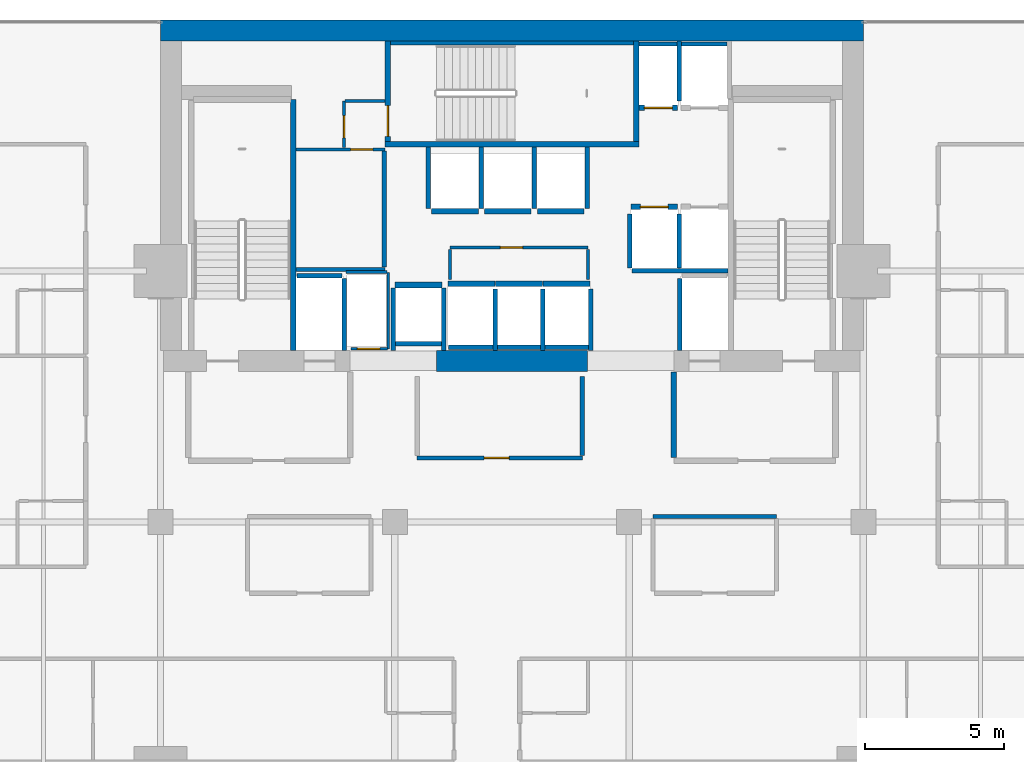
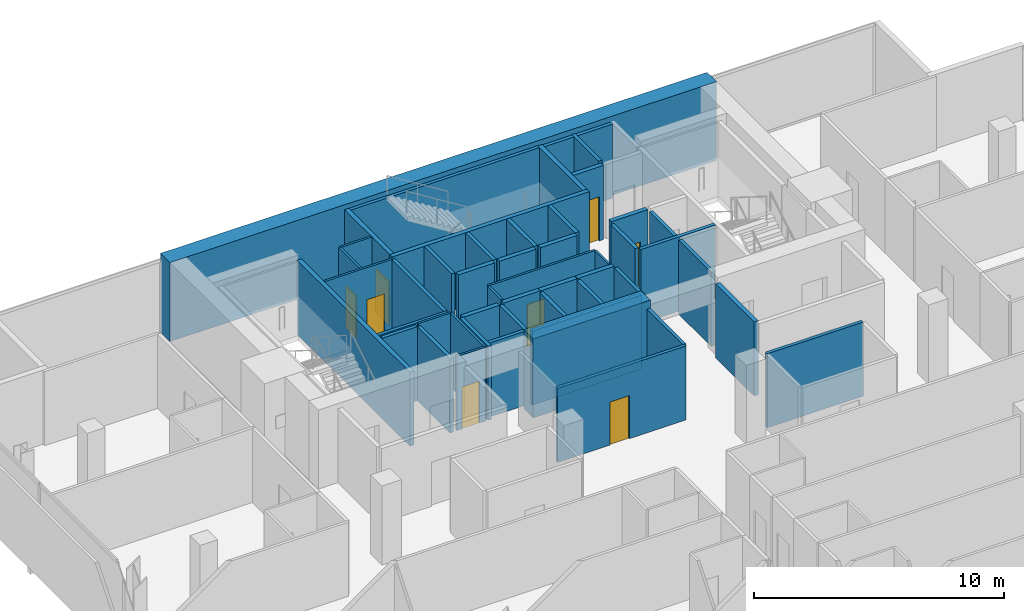
# One storey, part 30 of 34: 50 walls, 8 doors, 8 openings.
"""IFC4 building model written with IfcOpenShell, lengths in metres."""

from ifc_helpers import new_model, si_unit, direction, frame, frame_2d, origin, place, context, subcontext, project, spatial, rectangle, extrude, material, layer, layer_set, type_object, element, fill, save


model = new_model("IFC4")

# Units and contexts
model_context = context("Model", 3, precision=1e-05, world=origin(), true_north=direction((0.0, 1.0)))
body_context = subcontext(model_context, "Body", "Model", "MODEL_VIEW")
ifc_project = project(units=[si_unit("LENGTHUNIT", "METRE"), si_unit("AREAUNIT", "SQUARE_METRE"), si_unit("VOLUMEUNIT", "CUBIC_METRE"), si_unit("PLANEANGLEUNIT", "RADIAN"), si_unit("MASSUNIT", "GRAM", prefix="KILO")], contexts=[model_context])

# Site, building, storey
site_placement = place(None, origin())
site = spatial("IfcSite", under=ifc_project, at=site_placement, CompositionType="ELEMENT")
building_placement = place(site_placement, origin())
building = spatial("IfcBuilding", under=site, at=building_placement, Name="Maruvema Waterfront Hotel and Observation Tower", CompositionType="ELEMENT")
storey_placement = place(building_placement, frame((0.0, 0.0, 185.14990234375)))
storey = spatial("IfcBuildingStorey", under=building, at=storey_placement, Name="L45", CompositionType="ELEMENT", Elevation=185.14990234375)

# Walls
ifc_material_1 = material(Name="Twin-stud acoustic gypsum drywall", Category="gypsum")
ifc_layer_1 = layer(ifc_material_1, 0.14990234375, Name="Acoustic Corridor and Suite Demising Wall 150 mm")
ifc_layer_set_1 = layer_set([ifc_layer_1], Name="Twin-stud acoustic gypsum drywall")
wall_type_1 = type_object("IfcWallType", Name="Acoustic Corridor and Suite Demising Wall 150 mm", PredefinedType="PARTITIONING", material=ifc_layer_set_1)
wall_1_placement = place(storey_placement, frame((30.06005859375, 45.06005859375, 0.0), z_axis=(0.0, 0.0, 1.0), x_axis=(1.0, 0.0, 0.0)))
element("IfcWall", 1, at=wall_1_placement, inside=storey, type_object=wall_type_1, Name="L45 Freed B1 South Wall 013", PredefinedType="PARTITIONING", context=body_context, shape_type="SweptSolid", body=[
    extrude(rectangle(XDim=3.179931640625, YDim=0.14990234375, at=frame_2d((1.58984375, 0.0))), origin(), (0.0, 0.0, 1.0), 3.610107421875),
])
wall_2_placement = place(storey_placement, frame((33.219970703125, 45.139892578125, 0.0), z_axis=(0.0, 0.0, 1.0), x_axis=(0.0, 1.0, 0.0)))
element("IfcWall", 2, at=wall_2_placement, inside=storey, type_object=wall_type_1, Name="L45 Freed B1 East Wall 014", PredefinedType="PARTITIONING", context=body_context, shape_type="SweptSolid", body=[
    extrude(rectangle(XDim=4.16015625, YDim=0.14990234375, at=frame_2d((2.080078125, 0.0))), origin(), (0.0, 0.0, 1.0), 3.610107421875),
])

# Wall, opening, door
wall_3_placement = place(storey_placement, frame((34.39990234375, 38.300048828125, 0.0), z_axis=(0.0, 0.0, 1.0), x_axis=(1.0, 0.0, 0.0)))
wall_3 = element("IfcWall", 3, at=wall_3_placement, inside=storey, type_object=wall_type_1, Name="L45 Core Apron K0 South 018", PredefinedType="PARTITIONING", context=body_context, shape_type="SweptSolid", body=[
    extrude(rectangle(XDim=5.920166015625, YDim=0.14990234375, at=frame_2d((2.9599609375, 0.0))), origin(), (0.0, 0.0, 1.0), 3.610107421875),
])
opening_1_placement = place(wall_3_placement, frame((2.39990234375, 0.0, 0.0)))
opening_1 = element("IfcOpeningElement", 4, at=opening_1_placement, cuts=wall_3, Name="Opening DR-090", PredefinedType="OPENING", context=body_context, shape_type="SweptSolid", body=[
    extrude(rectangle(XDim=0.89990234375, YDim=2.10009765625, at=frame_2d((0.449951171875, 1.050048828125))), frame((0.0, 0.0849609375, 0.0), z_axis=(0.0, -1.0, 0.0), x_axis=(1.0, 0.0, 0.0)), (0.0, 0.0, 1.0), 0.169921875),
])
ifc_material_2 = material(Name="Solid-core lacquered timber leaf", Category="wood")
door_type_1 = type_object("IfcDoorType", Name="Accessible Toilet and Room Door 900x2100 mm", OperationType="NOTDEFINED", PredefinedType="DOOR", material=ifc_material_2)
door_1_placement = place(opening_1_placement, frame((0.89990234375, 0.0, 0.0), z_axis=(0.0, 0.0, 1.0), x_axis=(-1.0, 0.0, 0.0)))
door_1 = element("IfcDoor", 5, at=door_1_placement, inside=storey, type_object=door_type_1, Name="L45 Core Valet Room Door", OperationType="SINGLE_SWING_RIGHT", OverallHeight=2.10009765625, OverallWidth=0.89990234375, PredefinedType="DOOR", context=body_context, shape_type="SweptSolid", body=[
    extrude(rectangle(XDim=0.89990234375, YDim=2.10009765625, at=frame_2d((0.449951171875, 1.050048828125))), frame((0.0, 0.02490234375, 0.0), z_axis=(0.0, -1.0, 0.0), x_axis=(1.0, 0.0, 0.0)), (0.0, 0.0, 1.0), 0.050048828125),
])
fill(opening_1, door_1)

# Walls
wall_4_placement = place(storey_placement, frame((40.320068359375, 38.3798828125, 0.0), z_axis=(0.0, 0.0, 1.0), x_axis=(0.0, 1.0, 0.0)))
element("IfcWall", 6, at=wall_4_placement, inside=storey, type_object=wall_type_1, Name="L45 Core Apron K0 East 020", PredefinedType="PARTITIONING", context=body_context, shape_type="SweptSolid", body=[
    extrude(rectangle(XDim=2.840087890625, YDim=0.14990234375, at=frame_2d((1.419921875, 0.0))), origin(), (0.0, 0.0, 1.0), 3.610107421875),
])
wall_5_placement = place(storey_placement, frame((42.85009765625, 36.199951171875, 0.0), z_axis=(0.0, 0.0, 1.0), x_axis=(1.0, 0.0, 0.0)))
element("IfcWall", 7, at=wall_5_placement, inside=storey, type_object=wall_type_1, Name="L45 L45-M2 Back Wall 025", PredefinedType="PARTITIONING", context=body_context, shape_type="SweptSolid", body=[
    extrude(rectangle(XDim=4.429931640625, YDim=0.14990234375, at=frame_2d((2.21484375, 0.0))), origin(), (0.0, 0.0, 1.0), 3.610107421875),
])
ifc_material_3 = material(Name="Precast concrete C45/55", Category="concrete")
ifc_layer_2 = layer(ifc_material_3, 0.14990234375, Name="Core Shaft Furring Wall 150 mm")
ifc_layer_set_2 = layer_set([ifc_layer_2], Name="Precast concrete C45/55")
wall_type_2 = type_object("IfcWallType", Name="Core Shaft Furring Wall 150 mm", PredefinedType="SOLIDWALL", material=ifc_layer_set_2)
wall_6_placement = place(storey_placement, frame((33.449951171875, 53.175048828125, 0.0), z_axis=(0.0, 0.0, 1.0), x_axis=(1.0, 0.0, 0.0)))
element("IfcWall", 8, at=wall_6_placement, inside=storey, type_object=wall_type_2, Name="L45 Stairwell ST-02 North Furring Wall", PredefinedType="SOLIDWALL", context=body_context, shape_type="SweptSolid", body=[
    extrude(rectangle(XDim=8.699951171875, YDim=0.14990234375, at=frame_2d((4.35009765625, 0.0))), origin(), (0.0, 0.0, 1.0), 3.610107421875),
])
ifc_material_4 = material(Name="Precast concrete C45/55", Category="concrete")
ifc_layer_3 = layer(ifc_material_4, 0.199951171875, Name="Core Shaft and Stairwell Enclosure Wall 200 mm")
ifc_layer_set_3 = layer_set([ifc_layer_3], Name="Precast concrete C45/55")
wall_type_3 = type_object("IfcWallType", Name="Core Shaft and Stairwell Enclosure Wall 200 mm", PredefinedType="SOLIDWALL", material=ifc_layer_set_3)
wall_7_placement = place(storey_placement, frame((29.949951171875, 42.14990234375, 0.0), z_axis=(0.0, 0.0, 1.0), x_axis=(0.0, 1.0, 0.0)))
element("IfcWall", 9, at=wall_7_placement, inside=storey, type_object=wall_type_3, Name="L45 Stairwell ST-01 East Shaft Wall", PredefinedType="SOLIDWALL", context=body_context, shape_type="SweptSolid", body=[
    extrude(rectangle(XDim=9.0, YDim=0.199951171875, at=frame_2d((4.5, 0.0))), origin(), (0.0, 0.0, 1.0), 3.610107421875),
])
wall_8_placement = place(storey_placement, frame((33.25, 49.550048828125, 0.0), z_axis=(0.0, 0.0, 1.0), x_axis=(1.0, 0.0, 0.0)))
element("IfcWall", 10, at=wall_8_placement, inside=storey, type_object=wall_type_3, Name="L45 Stairwell ST-02 Shaft Wall", PredefinedType="SOLIDWALL", context=body_context, shape_type="SweptSolid", body=[
    extrude(rectangle(XDim=9.10009765625, YDim=0.199951171875, at=frame_2d((4.550048828125, 0.0))), origin(), (0.0, 0.0, 1.0), 3.610107421875),
])
wall_9_placement = place(storey_placement, frame((42.25, 49.64990234375, 0.0), z_axis=(0.0, 0.0, 1.0), x_axis=(0.0, 1.0, 0.0)))
element("IfcWall", 11, at=wall_9_placement, inside=storey, type_object=wall_type_3, Name="L45 Stairwell ST-02 Shaft Wall", PredefinedType="SOLIDWALL", context=body_context, shape_type="SweptSolid", body=[
    extrude(rectangle(XDim=3.60009765625, YDim=0.199951171875, at=frame_2d((1.800048828125, 0.0))), origin(), (0.0, 0.0, 1.0), 3.610107421875),
])

# Wall, opening, door
wall_10_placement = place(storey_placement, frame((33.35009765625, 49.64990234375, 0.0), z_axis=(0.0, 0.0, 1.0), x_axis=(0.0, 1.0, 0.0)))
wall_10 = element("IfcWall", 12, at=wall_10_placement, inside=storey, type_object=wall_type_3, Name="L45 Stairwell ST-02 Shaft Wall", PredefinedType="SOLIDWALL", context=body_context, shape_type="SweptSolid", body=[
    extrude(rectangle(XDim=3.60009765625, YDim=0.199951171875, at=frame_2d((1.800048828125, 0.0))), origin(), (0.0, 0.0, 1.0), 3.610107421875),
])
opening_2_placement = place(wall_10_placement, frame((0.179931640625, 0.0, 0.0)))
opening_2 = element("IfcOpeningElement", 13, at=opening_2_placement, cuts=wall_10, Name="Opening SD-02", PredefinedType="OPENING", context=body_context, shape_type="SweptSolid", body=[
    extrude(rectangle(XDim=1.10009765625, YDim=2.14990234375, at=frame_2d((0.550048828125, 1.074951171875))), frame((0.0, 0.10986328125, 0.0), z_axis=(0.0, -1.0, 0.0), x_axis=(1.0, 0.0, 0.0)), (0.0, 0.0, 1.0), 0.219970703125),
])
ifc_material_5 = material(Name="Fire-rated galvanised steel leaf", Category="steel")
door_type_2 = type_object("IfcDoorType", Name="Central Exit Stair Fire Door 1100x2150 mm", OperationType="NOTDEFINED", PredefinedType="DOOR", material=ifc_material_5)
door_2_placement = place(opening_2_placement, frame((1.10009765625, 0.0, 0.0), z_axis=(0.0, 0.0, 1.0), x_axis=(-1.0, 0.0, 0.0)))
door_2 = element("IfcDoor", 14, at=door_2_placement, inside=storey, type_object=door_type_2, Name="L45 Exit Stair ST-02 Fire Door", OperationType="SINGLE_SWING_LEFT", OverallHeight=2.14990234375, OverallWidth=1.10009765625, PredefinedType="DOOR", context=body_context, shape_type="SweptSolid", body=[
    extrude(rectangle(XDim=1.10009765625, YDim=2.14990234375, at=frame_2d((0.550048828125, 1.074951171875))), frame((0.0, 0.02490234375, 0.0), z_axis=(0.0, -1.0, 0.0), x_axis=(1.0, 0.0, 0.0)), (0.0, 0.0, 1.0), 0.050048828125),
])
fill(opening_2, door_2)

wall_11_placement = place(storey_placement, frame((42.06005859375, 47.300048828125, 0.0), z_axis=(0.0, 0.0, 1.0), x_axis=(1.0, 0.0, 0.0)))
wall_11 = element("IfcWall", 15, at=wall_11_placement, inside=storey, type_object=wall_type_3, Name="L45 Lift LF-05 Hoistway Front Wall", PredefinedType="SOLIDWALL", context=body_context, shape_type="SweptSolid", body=[
    extrude(rectangle(XDim=1.679931640625, YDim=0.199951171875, at=frame_2d((0.83984375, 0.0))), origin(), (0.0, 0.0, 1.0), 3.610107421875),
])
opening_3_placement = place(wall_11_placement, frame((0.340087890625, 0.0, 0.0)))
opening_3 = element("IfcOpeningElement", 16, at=opening_3_placement, cuts=wall_11, Name="Opening LD-01", PredefinedType="OPENING", context=body_context, shape_type="SweptSolid", body=[
    extrude(rectangle(XDim=1.0, YDim=2.14990234375, at=frame_2d((0.5, 1.074951171875))), frame((0.0, 0.10986328125, 0.0), z_axis=(0.0, -1.0, 0.0), x_axis=(1.0, 0.0, 0.0)), (0.0, 0.0, 1.0), 0.219970703125),
])
ifc_material_6 = material(Name="Brushed stainless steel Grade 316", Category="steel")
door_type_3 = type_object("IfcDoorType", Name="Passenger Lift Sliding Landing Door 1000x2150 mm", OperationType="SLIDING_TO_LEFT", PredefinedType="DOOR", material=ifc_material_6)
door_3_placement = place(opening_3_placement, origin())
door_3 = element("IfcDoor", 17, at=door_3_placement, inside=storey, type_object=door_type_3, Name="L45 Lift LF-05 Sliding Landing Door", OperationType="SLIDING_TO_LEFT", OverallHeight=2.14990234375, OverallWidth=1.0, PredefinedType="DOOR", context=body_context, shape_type="SweptSolid", body=[
    extrude(rectangle(XDim=1.0, YDim=2.14990234375, at=frame_2d((0.5, 1.074951171875))), frame((0.0, 0.02490234375, 0.0), z_axis=(0.0, -1.0, 0.0), x_axis=(1.0, 0.0, 0.0)), (0.0, 0.0, 1.0), 0.050048828125),
])
fill(opening_3, door_3)

wall_12_placement = place(storey_placement, frame((42.360107421875, 50.85009765625, 0.0), z_axis=(0.0, 0.0, 1.0), x_axis=(1.0, 0.0, 0.0)))
wall_12 = element("IfcWall", 18, at=wall_12_placement, inside=storey, type_object=wall_type_3, Name="L45 Lift LF-07 Hoistway Front Wall", PredefinedType="SOLIDWALL", context=body_context, shape_type="SweptSolid", body=[
    extrude(rectangle(XDim=1.3798828125, YDim=0.199951171875, at=frame_2d((0.68994140625, 0.0))), origin(), (0.0, 0.0, 1.0), 3.610107421875),
])
opening_4_placement = place(wall_12_placement, frame((0.18994140625, 0.0, 0.0)))
opening_4 = element("IfcOpeningElement", 19, at=opening_4_placement, cuts=wall_12, Name="Opening LD-01", PredefinedType="OPENING", context=body_context, shape_type="SweptSolid", body=[
    extrude(rectangle(XDim=1.0, YDim=2.14990234375, at=frame_2d((0.5, 1.074951171875))), frame((0.0, 0.10986328125, 0.0), z_axis=(0.0, -1.0, 0.0), x_axis=(1.0, 0.0, 0.0)), (0.0, 0.0, 1.0), 0.219970703125),
])
door_4_placement = place(opening_4_placement, frame((1.0, 0.0, 0.0), z_axis=(0.0, 0.0, 1.0), x_axis=(-1.0, 0.0, 0.0)))
door_4 = element("IfcDoor", 20, at=door_4_placement, inside=storey, type_object=door_type_3, Name="L45 Lift LF-07 Sliding Landing Door", OperationType="SLIDING_TO_LEFT", OverallHeight=2.14990234375, OverallWidth=1.0, PredefinedType="DOOR", context=body_context, shape_type="SweptSolid", body=[
    extrude(rectangle(XDim=1.0, YDim=2.14990234375, at=frame_2d((0.5, 1.074951171875))), frame((0.0, 0.02490234375, 0.0), z_axis=(0.0, -1.0, 0.0), x_axis=(1.0, 0.0, 0.0)), (0.0, 0.0, 1.0), 0.050048828125),
])
fill(opening_4, door_4)

# Walls
for number, where, z_axis, x_axis, name in (
    (21, (35.510009765625, 44.550048828125, 0.0), (0.0, 0.0, 1.0), (1.0, 0.0, 0.0), "L45 Lift LF-09 Hoistway Front Wall"),
    (22, (37.2099609375, 44.550048828125, 0.0), (0.0, 0.0, 1.0), (1.0, 0.0, 0.0), "L45 Lift LF-10 Hoistway Front Wall"),
):
    element("IfcWall", number, at=place(storey_placement, frame(where, z_axis=z_axis, x_axis=x_axis)), inside=storey, type_object=wall_type_3, Name=name, PredefinedType="SOLIDWALL", context=body_context, shape_type="SweptSolid", body=[
        extrude(rectangle(XDim=1.679931640625, YDim=0.199951171875, at=frame_2d((0.83984375, 0.0))), origin(), (0.0, 0.0, 1.0), 3.610107421875),
    ])
for number, where, z_axis, x_axis, name in (
    (23, (38.909912109375, 44.550048828125, 0.0), (0.0, 0.0, 1.0), (1.0, 0.0, 0.0), "L45 Lift LF-11 Hoistway Front Wall"),
    (24, (34.909912109375, 47.14990234375, 0.0), (0.0, 0.0, 1.0), (1.0, 0.0, 0.0), "L45 Lift LF-12 Hoistway Front Wall"),
):
    element("IfcWall", number, at=place(storey_placement, frame(where, z_axis=z_axis, x_axis=x_axis)), inside=storey, type_object=wall_type_3, Name=name, PredefinedType="SOLIDWALL", context=body_context, shape_type="SweptSolid", body=[
        extrude(rectangle(XDim=1.68017578125, YDim=0.199951171875, at=frame_2d((0.840087890625, 0.0))), origin(), (0.0, 0.0, 1.0), 3.610107421875),
    ])
for number, where, z_axis, x_axis, name in (
    (25, (36.81005859375, 47.14990234375, 0.0), (0.0, 0.0, 1.0), (1.0, 0.0, 0.0), "L45 Lift LF-13 Hoistway Front Wall"),
    (26, (38.7099609375, 47.14990234375, 0.0), (0.0, 0.0, 1.0), (1.0, 0.0, 0.0), "L45 Lift LF-14 Hoistway Front Wall"),
    (27, (33.610107421875, 44.5, 0.0), (0.0, 0.0, 1.0), (1.0, 0.0, 0.0), "L45 Lift LF-15 Hoistway Front Wall"),
):
    element("IfcWall", number, at=place(storey_placement, frame(where, z_axis=z_axis, x_axis=x_axis)), inside=storey, type_object=wall_type_3, Name=name, PredefinedType="SOLIDWALL", context=body_context, shape_type="SweptSolid", body=[
        extrude(rectangle(XDim=1.679931640625, YDim=0.199951171875, at=frame_2d((0.83984375, 0.0))), origin(), (0.0, 0.0, 1.0), 3.610107421875),
    ])
ifc_material_7 = material(Name="Concrete C70/85", Category="concrete")
ifc_layer_4 = layer(ifc_material_7, 0.75, Name="Core Shear Wall 750 mm")
ifc_layer_set_4 = layer_set([ifc_layer_4], Name="Concrete C70/85")
wall_type_4 = type_object("IfcWallType", Name="Core Shear Wall 750 mm", PredefinedType="SHEAR", material=ifc_layer_set_4)
wall_13_placement = place(storey_placement, frame((25.199951171875, 53.625, 0.0), z_axis=(0.0, 0.0, 1.0), x_axis=(1.0, 0.0, 0.0)))
element("IfcWall", 28, at=wall_13_placement, inside=storey, type_object=wall_type_4, Name="L45 North Core Shear Wall", PredefinedType="SHEAR", context=body_context, shape_type="SweptSolid", body=[
    extrude(rectangle(XDim=25.199951171875, YDim=0.75, at=frame_2d((12.60009765625, 0.0))), origin(), (0.0, 0.0, 1.0), 3.85009765625),
])
wall_14_placement = place(storey_placement, frame((35.10009765625, 41.77490234375, 0.0), z_axis=(0.0, 0.0, 1.0), x_axis=(1.0, 0.0, 0.0)))
element("IfcWall", 29, at=wall_14_placement, inside=storey, type_object=wall_type_4, Name="L45 South-Central Core Shear Wall", PredefinedType="SHEAR", context=body_context, shape_type="SweptSolid", body=[
    extrude(rectangle(XDim=5.39990234375, YDim=0.75, at=frame_2d((2.699951171875, 0.0))), origin(), (0.0, 0.0, 1.0), 3.85009765625),
])

# Wall, opening, door
ifc_material_8 = material(Name="Moisture-resistant cement-board drywall", Category="gypsum")
ifc_layer_5 = layer(ifc_material_8, 0.10009765625, Name="En-Suite Moisture-Resistant Partition 100 mm")
ifc_layer_set_5 = layer_set([ifc_layer_5], Name="Moisture-resistant cement-board drywall")
wall_type_5 = type_object("IfcWallType", Name="En-Suite Moisture-Resistant Partition 100 mm", PredefinedType="PARTITIONING", material=ifc_layer_set_5)
wall_15_placement = place(storey_placement, frame((32.02001953125, 42.2099609375, 0.0), z_axis=(0.0, 0.0, 1.0), x_axis=(1.0, 0.0, 0.0)))
wall_15 = element("IfcWall", 30, at=wall_15_placement, inside=storey, type_object=wall_type_5, Name="L45 Telecom Riser South Wall 007", PredefinedType="PARTITIONING", context=body_context, shape_type="SweptSolid", body=[
    extrude(rectangle(XDim=1.320068359375, YDim=0.10009765625, at=frame_2d((0.66015625, 0.0))), origin(), (0.0, 0.0, 1.0), 3.610107421875),
])
opening_5_placement = place(wall_15_placement, frame((0.239990234375, 0.0, 0.0)))
opening_5 = element("IfcOpeningElement", 31, at=opening_5_placement, cuts=wall_15, Name="Opening DR-080", PredefinedType="OPENING", context=body_context, shape_type="SweptSolid", body=[
    extrude(rectangle(XDim=0.800048828125, YDim=2.050048828125, at=frame_2d((0.39990234375, 1.02490234375))), frame((0.0, 0.06005859375, 0.0), z_axis=(0.0, -1.0, 0.0), x_axis=(1.0, 0.0, 0.0)), (0.0, 0.0, 1.0), 0.1201171875),
])
ifc_material_9 = material(Name="Powder-coated steel access leaf", Category="steel")
door_type_4 = type_object("IfcDoorType", Name="Riser and Service Cupboard Door 800x2050 mm", OperationType="NOTDEFINED", PredefinedType="DOOR", material=ifc_material_9)
door_5_placement = place(opening_5_placement, frame((0.800048828125, 0.0, 0.0), z_axis=(0.0, 0.0, 1.0), x_axis=(-1.0, 0.0, 0.0)))
door_5 = element("IfcDoor", 32, at=door_5_placement, inside=storey, type_object=door_type_4, Name="L45 Telecom Riser Door", OperationType="SINGLE_SWING_RIGHT", OverallHeight=2.050048828125, OverallWidth=0.800048828125, PredefinedType="DOOR", context=body_context, shape_type="SweptSolid", body=[
    extrude(rectangle(XDim=0.800048828125, YDim=2.050048828125, at=frame_2d((0.39990234375, 1.02490234375))), frame((0.0, 0.02490234375, 0.0), z_axis=(0.0, -1.0, 0.0), x_axis=(1.0, 0.0, 0.0)), (0.0, 0.0, 1.0), 0.050048828125),
])
fill(opening_5, door_5)

# Walls
wall_16_placement = place(storey_placement, frame((31.840087890625, 44.9599609375, 0.0), z_axis=(0.0, 0.0, 1.0), x_axis=(1.0, 0.0, 0.0)))
element("IfcWall", 33, at=wall_16_placement, inside=storey, type_object=wall_type_5, Name="L45 Telecom Riser North Wall 008", PredefinedType="PARTITIONING", context=body_context, shape_type="SweptSolid", body=[
    extrude(rectangle(XDim=1.47998046875, YDim=0.10009765625, at=frame_2d((0.739990234375, 0.0))), origin(), (0.0, 0.0, 1.0), 3.610107421875),
])
wall_17_placement = place(storey_placement, frame((33.360107421875, 42.2099609375, 0.0), z_axis=(0.0, 0.0, 1.0), x_axis=(0.0, 1.0, 0.0)))
element("IfcWall", 34, at=wall_17_placement, inside=storey, type_object=wall_type_5, Name="L45 Telecom Riser East Wall 009", PredefinedType="PARTITIONING", context=body_context, shape_type="SweptSolid", body=[
    extrude(rectangle(XDim=2.72998046875, YDim=0.10009765625, at=frame_2d((1.364990234375, 0.0))), origin(), (0.0, 0.0, 1.0), 3.610107421875),
])

# Wall, opening, door
wall_18_placement = place(storey_placement, frame((35.580078125, 45.840087890625, 0.0), z_axis=(0.0, 0.0, 1.0), x_axis=(1.0, 0.0, 0.0)))
wall_18 = element("IfcWall", 35, at=wall_18_placement, inside=storey, type_object=wall_type_5, Name="L45 Core Closet K0 North 010", PredefinedType="PARTITIONING", context=body_context, shape_type="SweptSolid", body=[
    extrude(rectangle(XDim=4.93994140625, YDim=0.10009765625, at=frame_2d((2.469970703125, 0.0))), origin(), (0.0, 0.0, 1.0), 3.610107421875),
])
opening_6_placement = place(wall_18_placement, frame((1.800048828125, 0.0, 0.0)))
opening_6 = element("IfcOpeningElement", 36, at=opening_6_placement, cuts=wall_18, Name="Opening DR-080", PredefinedType="OPENING", context=body_context, shape_type="SweptSolid", body=[
    extrude(rectangle(XDim=0.800048828125, YDim=2.050048828125, at=frame_2d((0.39990234375, 1.02490234375))), frame((0.0, 0.06005859375, 0.0), z_axis=(0.0, -1.0, 0.0), x_axis=(1.0, 0.0, 0.0)), (0.0, 0.0, 1.0), 0.1201171875),
])
door_6_placement = place(opening_6_placement, origin())
door_6 = element("IfcDoor", 37, at=door_6_placement, inside=storey, type_object=door_type_4, Name="L45 Core Electrical Closet Door", OperationType="SINGLE_SWING_LEFT", OverallHeight=2.050048828125, OverallWidth=0.800048828125, PredefinedType="DOOR", context=body_context, shape_type="SweptSolid", body=[
    extrude(rectangle(XDim=0.800048828125, YDim=2.050048828125, at=frame_2d((0.39990234375, 1.02490234375))), frame((0.0, 0.02490234375, 0.0), z_axis=(0.0, -1.0, 0.0), x_axis=(1.0, 0.0, 0.0)), (0.0, 0.0, 1.0), 0.050048828125),
])
fill(opening_6, door_6)

# Walls
for number, where, z_axis, x_axis, name in (
    (38, (35.580078125, 44.699951171875, 0.0), (0.0, 0.0, 1.0), (0.0, 1.0, 0.0), "L45 Core Closet K0 West 011"),
    (39, (40.52001953125, 44.699951171875, 0.0), (0.0, 0.0, 1.0), (0.0, 1.0, 0.0), "L45 Core Closet K0 East 012"),
):
    element("IfcWall", number, at=place(storey_placement, frame(where, z_axis=z_axis, x_axis=x_axis)), inside=storey, type_object=wall_type_5, Name=name, PredefinedType="PARTITIONING", context=body_context, shape_type="SweptSolid", body=[
        extrude(rectangle(XDim=1.080078125, YDim=0.10009765625, at=frame_2d((0.5400390625, 0.0))), origin(), (0.0, 0.0, 1.0), 3.610107421875),
    ])

# Wall, opening, door
wall_19_placement = place(storey_placement, frame((30.06005859375, 49.360107421875, 0.0), z_axis=(0.0, 0.0, 1.0), x_axis=(1.0, 0.0, 0.0)))
wall_19 = element("IfcWall", 40, at=wall_19_placement, inside=storey, type_object=wall_type_5, Name="L45 Freed B1 Mid Wall 015", PredefinedType="PARTITIONING", context=body_context, shape_type="SweptSolid", body=[
    extrude(rectangle(XDim=3.179931640625, YDim=0.10009765625, at=frame_2d((1.58984375, 0.0))), origin(), (0.0, 0.0, 1.0), 3.610107421875),
])
opening_7_placement = place(wall_19_placement, frame((1.949951171875, 0.0, 0.0)))
opening_7 = element("IfcOpeningElement", 41, at=opening_7_placement, cuts=wall_19, Name="Opening DR-080", PredefinedType="OPENING", context=body_context, shape_type="SweptSolid", body=[
    extrude(rectangle(XDim=0.800048828125, YDim=2.050048828125, at=frame_2d((0.39990234375, 1.02490234375))), frame((0.0, 0.06005859375, 0.0), z_axis=(0.0, -1.0, 0.0), x_axis=(1.0, 0.0, 0.0)), (0.0, 0.0, 1.0), 0.1201171875),
])
door_7_placement = place(opening_7_placement, origin())
door_7 = element("IfcDoor", 42, at=door_7_placement, inside=storey, type_object=door_type_4, Name="L45 Housekeeping and Linen Room Door", OperationType="SINGLE_SWING_RIGHT", OverallHeight=2.050048828125, OverallWidth=0.800048828125, PredefinedType="DOOR", context=body_context, shape_type="SweptSolid", body=[
    extrude(rectangle(XDim=0.800048828125, YDim=2.050048828125, at=frame_2d((0.39990234375, 1.02490234375))), frame((0.0, 0.02490234375, 0.0), z_axis=(0.0, -1.0, 0.0), x_axis=(1.0, 0.0, 0.0)), (0.0, 0.0, 1.0), 0.050048828125),
])
fill(opening_7, door_7)

wall_20_placement = place(storey_placement, frame((31.780029296875, 49.419921875, 0.0), z_axis=(0.0, 0.0, 1.0), x_axis=(0.0, 1.0, 0.0)))
wall_20 = element("IfcWall", 43, at=wall_20_placement, inside=storey, type_object=wall_type_5, Name="L45 Freed B1 NW East Wall 016", PredefinedType="PARTITIONING", context=body_context, shape_type="SweptSolid", body=[
    extrude(rectangle(XDim=1.68017578125, YDim=0.10009765625, at=frame_2d((0.840087890625, 0.0))), origin(), (0.0, 0.0, 1.0), 3.610107421875),
])
opening_8_placement = place(wall_20_placement, frame((0.35009765625, 0.0, 0.0)))
opening_8 = element("IfcOpeningElement", 44, at=opening_8_placement, cuts=wall_20, Name="Opening DR-080", PredefinedType="OPENING", context=body_context, shape_type="SweptSolid", body=[
    extrude(rectangle(XDim=0.800048828125, YDim=2.050048828125, at=frame_2d((0.39990234375, 1.02490234375))), frame((0.0, 0.06005859375, 0.0), z_axis=(0.0, -1.0, 0.0), x_axis=(1.0, 0.0, 0.0)), (0.0, 0.0, 1.0), 0.1201171875),
])
door_8_placement = place(opening_8_placement, origin())
door_8 = element("IfcDoor", 45, at=door_8_placement, inside=storey, type_object=door_type_4, Name="L45 Guest Floor Pantry Door", OperationType="SINGLE_SWING_LEFT", OverallHeight=2.050048828125, OverallWidth=0.800048828125, PredefinedType="DOOR", context=body_context, shape_type="SweptSolid", body=[
    extrude(rectangle(XDim=0.800048828125, YDim=2.050048828125, at=frame_2d((0.39990234375, 1.02490234375))), frame((0.0, 0.02490234375, 0.0), z_axis=(0.0, -1.0, 0.0), x_axis=(1.0, 0.0, 0.0)), (0.0, 0.0, 1.0), 0.050048828125),
])
fill(opening_8, door_8)

# Walls
wall_21_placement = place(storey_placement, frame((31.820068359375, 51.10009765625, 0.0), z_axis=(0.0, 0.0, 1.0), x_axis=(1.0, 0.0, 0.0)))
element("IfcWall", 46, at=wall_21_placement, inside=storey, type_object=wall_type_5, Name="L45 Freed B1 Vestibule North Wall 017", PredefinedType="PARTITIONING", context=body_context, shape_type="SweptSolid", body=[
    extrude(rectangle(XDim=1.419921875, YDim=0.10009765625, at=frame_2d((0.7099609375, 0.0))), origin(), (0.0, 0.0, 1.0), 3.610107421875),
])
ifc_material_10 = material(Name="Autoclaved cellular concrete blockwork", Category="masonry")
ifc_layer_6 = layer(ifc_material_10, 0.199951171875, Name="Fire Compartment Masonry Wall 200 mm")
ifc_layer_set_6 = layer_set([ifc_layer_6], Name="Autoclaved cellular concrete blockwork")
wall_type_6 = type_object("IfcWallType", Name="Fire Compartment Masonry Wall 200 mm", PredefinedType="PARTITIONING", material=ifc_layer_set_6)
wall_22_placement = place(storey_placement, frame((43.60009765625, 38.31005859375, 0.0), z_axis=(0.0, 0.0, 1.0), x_axis=(0.0, 1.0, 0.0)))
element("IfcWall", 47, at=wall_22_placement, inside=storey, type_object=wall_type_6, Name="L45 FFL East West Wall 005", PredefinedType="PARTITIONING", context=body_context, shape_type="SweptSolid", body=[
    extrude(rectangle(XDim=3.06982421875, YDim=0.199951171875, at=frame_2d((1.534912109375, 0.0))), origin(), (0.0, 0.0, 1.0), 3.610107421875),
])
ifc_material_11 = material(Name="Precast concrete C45/55", Category="concrete")
ifc_layer_7 = layer(ifc_material_11, 0.159912109375, Name="Lift Hoistway Divider Wall 160 mm")
ifc_layer_set_7 = layer_set([ifc_layer_7], Name="Precast concrete C45/55")
wall_type_7 = type_object("IfcWallType", Name="Lift Hoistway Divider Wall 160 mm", PredefinedType="SOLIDWALL", material=ifc_layer_set_7)
wall_23_placement = place(storey_placement, frame((30.10009765625, 44.830078125, 0.0), z_axis=(0.0, 0.0, 1.0), x_axis=(1.0, 0.0, 0.0)))
element("IfcWall", 48, at=wall_23_placement, inside=storey, type_object=wall_type_7, Name="L45 Lift FL-01 Rear Hoistway Wall", PredefinedType="SOLIDWALL", context=body_context, shape_type="SweptSolid", body=[
    extrude(rectangle(XDim=1.599853515625, YDim=0.159912109375, at=frame_2d((0.7998046875, 0.0))), origin(), (0.0, 0.0, 1.0), 3.610107421875),
])
for number, where, z_axis, x_axis, name in (
    (49, (31.780029296875, 42.14990234375, 0.0), (0.0, 0.0, 1.0), (0.0, 1.0, 0.0), "L45 Lift FL-01 Inner Hoistway Wall"),
    (50, (43.820068359375, 42.14990234375, 0.0), (0.0, 0.0, 1.0), (0.0, 1.0, 0.0), "L45 Lift FL-02 Inner Hoistway Wall"),
):
    element("IfcWall", number, at=place(storey_placement, frame(where, z_axis=z_axis, x_axis=x_axis)), inside=storey, type_object=wall_type_7, Name=name, PredefinedType="SOLIDWALL", context=body_context, shape_type="SweptSolid", body=[
        extrude(rectangle(XDim=2.590087890625, YDim=0.159912109375, at=frame_2d((1.294921875, 0.0))), origin(), (0.0, 0.0, 1.0), 3.610107421875),
    ])
for number, where, z_axis, x_axis, name in (
    (51, (42.02001953125, 45.10009765625, 0.0), (0.0, 0.0, 1.0), (0.0, 1.0, 0.0), "L45 Hoistway Divider Wall"),
    (52, (43.800048828125, 45.10009765625, 0.0), (0.0, 0.0, 1.0), (0.0, 1.0, 0.0), "L45 Hoistway Divider Wall"),
):
    element("IfcWall", number, at=place(storey_placement, frame(where, z_axis=z_axis, x_axis=x_axis)), inside=storey, type_object=wall_type_7, Name=name, PredefinedType="SOLIDWALL", context=body_context, shape_type="SweptSolid", body=[
        extrude(rectangle(XDim=1.949951171875, YDim=0.159912109375, at=frame_2d((0.97509765625, 0.0))), origin(), (0.0, 0.0, 1.0), 3.610107421875),
    ])
wall_24_placement = place(storey_placement, frame((42.10009765625, 45.010009765625, 0.0), z_axis=(0.0, 0.0, 1.0), x_axis=(1.0, 0.0, 0.0)))
element("IfcWall", 53, at=wall_24_placement, inside=storey, type_object=wall_type_7, Name="L45 Hoistway Divider Wall", PredefinedType="SOLIDWALL", context=body_context, shape_type="SweptSolid", body=[
    extrude(rectangle(XDim=3.449951171875, YDim=0.159912109375, at=frame_2d((1.72509765625, 0.0))), origin(), (0.0, 0.0, 1.0), 3.610107421875),
])
wall_25_placement = place(storey_placement, frame((43.800048828125, 51.10009765625, 0.0), z_axis=(0.0, 0.0, 1.0), x_axis=(0.0, 1.0, 0.0)))
element("IfcWall", 54, at=wall_25_placement, inside=storey, type_object=wall_type_7, Name="L45 Hoistway Divider Wall", PredefinedType="SOLIDWALL", context=body_context, shape_type="SweptSolid", body=[
    extrude(rectangle(XDim=2.14990234375, YDim=0.159912109375, at=frame_2d((1.074951171875, 0.0))), origin(), (0.0, 0.0, 1.0), 3.610107421875),
])
wall_26_placement = place(storey_placement, frame((42.360107421875, 53.139892578125, 0.0), z_axis=(0.0, 0.0, 1.0), x_axis=(1.0, 0.0, 0.0)))
element("IfcWall", 55, at=wall_26_placement, inside=storey, type_object=wall_type_7, Name="L45 Hoistway Divider Wall", PredefinedType="SOLIDWALL", context=body_context, shape_type="SweptSolid", body=[
    extrude(rectangle(XDim=3.139892578125, YDim=0.159912109375, at=frame_2d((1.56982421875, 0.0))), origin(), (0.0, 0.0, 1.0), 3.610107421875),
])
for number, where, z_axis, x_axis, name in (
    (56, (37.199951171875, 42.14990234375, 0.0), (0.0, 0.0, 1.0), (0.0, 1.0, 0.0), "L45 Hoistway Divider Wall"),
    (57, (38.89990234375, 42.14990234375, 0.0), (0.0, 0.0, 1.0), (0.0, 1.0, 0.0), "L45 Hoistway Divider Wall"),
    (58, (40.6201171875, 42.14990234375, 0.0), (0.0, 0.0, 1.0), (0.0, 1.0, 0.0), "L45 Hoistway Divider Wall"),
):
    element("IfcWall", number, at=place(storey_placement, frame(where, z_axis=z_axis, x_axis=x_axis)), inside=storey, type_object=wall_type_7, Name=name, PredefinedType="SOLIDWALL", context=body_context, shape_type="SweptSolid", body=[
        extrude(rectangle(XDim=2.2001953125, YDim=0.159912109375, at=frame_2d((1.10009765625, 0.0))), origin(), (0.0, 0.0, 1.0), 3.610107421875),
    ])
wall_27_placement = place(storey_placement, frame((35.52001953125, 42.260009765625, 0.0), z_axis=(0.0, 0.0, 1.0), x_axis=(1.0, 0.0, 0.0)))
element("IfcWall", 59, at=wall_27_placement, inside=storey, type_object=wall_type_7, Name="L45 Hoistway Divider Wall", PredefinedType="SOLIDWALL", context=body_context, shape_type="SweptSolid", body=[
    extrude(rectangle(XDim=5.02001953125, YDim=0.159912109375, at=frame_2d((2.510009765625, 0.0))), origin(), (0.0, 0.0, 1.0), 3.610107421875),
])
for number, where, z_axis, x_axis, name in (
    (60, (34.800048828125, 47.25, 0.0), (0.0, 0.0, 1.0), (0.0, 1.0, 0.0), "L45 Hoistway Divider Wall"),
    (61, (36.699951171875, 47.25, 0.0), (0.0, 0.0, 1.0), (0.0, 1.0, 0.0), "L45 Hoistway Divider Wall"),
    (62, (38.60009765625, 47.25, 0.0), (0.0, 0.0, 1.0), (0.0, 1.0, 0.0), "L45 Hoistway Divider Wall"),
    (63, (40.5, 47.25, 0.0), (0.0, 0.0, 1.0), (0.0, 1.0, 0.0), "L45 Hoistway Divider Wall"),
):
    element("IfcWall", number, at=place(storey_placement, frame(where, z_axis=z_axis, x_axis=x_axis)), inside=storey, type_object=wall_type_7, Name=name, PredefinedType="SOLIDWALL", context=body_context, shape_type="SweptSolid", body=[
        extrude(rectangle(XDim=2.18994140625, YDim=0.159912109375, at=frame_2d((1.094970703125, 0.0))), origin(), (0.0, 0.0, 1.0), 3.610107421875),
    ])
for number, where, z_axis, x_axis, name in (
    (64, (33.5400390625, 42.14990234375, 0.0), (0.0, 0.0, 1.0), (0.0, 1.0, 0.0), "L45 Hoistway Divider Wall"),
    (65, (35.360107421875, 42.14990234375, 0.0), (0.0, 0.0, 1.0), (0.0, 1.0, 0.0), "L45 Hoistway Divider Wall"),
):
    element("IfcWall", number, at=place(storey_placement, frame(where, z_axis=z_axis, x_axis=x_axis)), inside=storey, type_object=wall_type_7, Name=name, PredefinedType="SOLIDWALL", context=body_context, shape_type="SweptSolid", body=[
        extrude(rectangle(XDim=2.25, YDim=0.159912109375, at=frame_2d((1.125, 0.0))), origin(), (0.0, 0.0, 1.0), 3.610107421875),
    ])
wall_28_placement = place(storey_placement, frame((33.6201171875, 42.39990234375, 0.0), z_axis=(0.0, 0.0, 1.0), x_axis=(1.0, 0.0, 0.0)))
element("IfcWall", 66, at=wall_28_placement, inside=storey, type_object=wall_type_7, Name="L45 Hoistway Divider Wall", PredefinedType="SOLIDWALL", context=body_context, shape_type="SweptSolid", body=[
    extrude(rectangle(XDim=1.659912109375, YDim=0.159912109375, at=frame_2d((0.830078125, 0.0))), origin(), (0.0, 0.0, 1.0), 3.610107421875),
])

save(model, "model.ifc")
